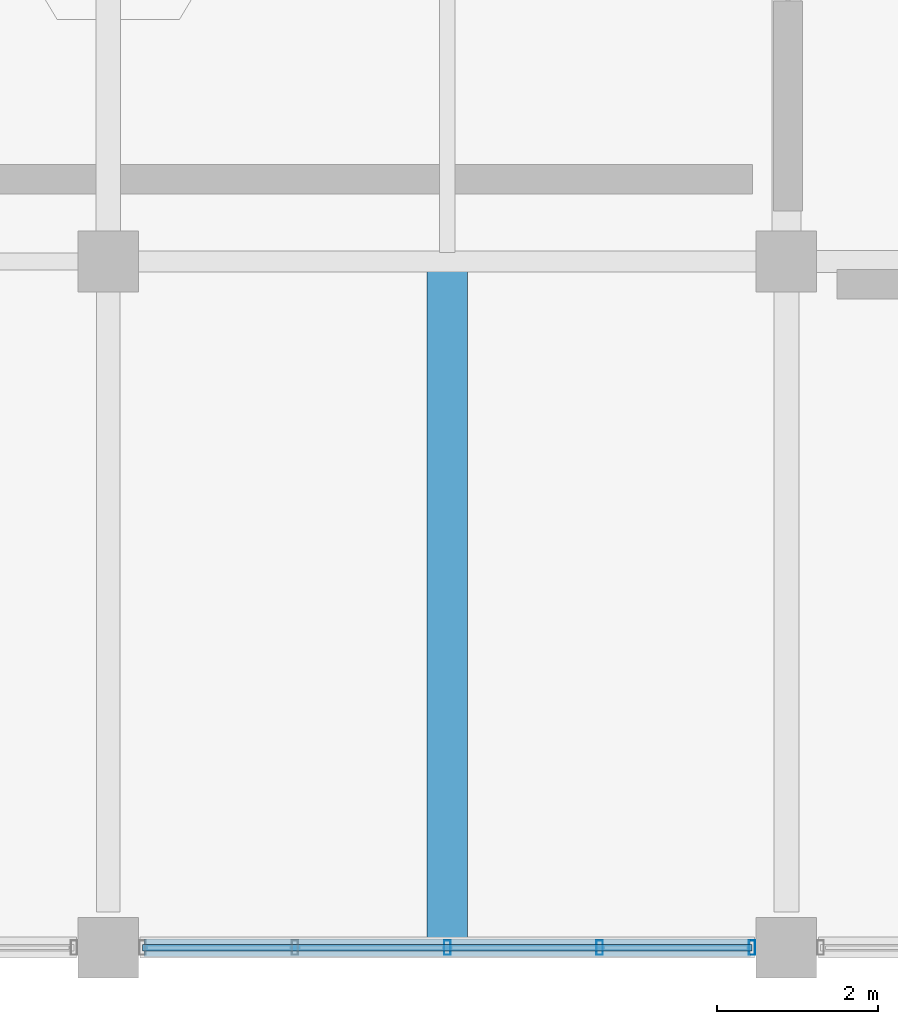
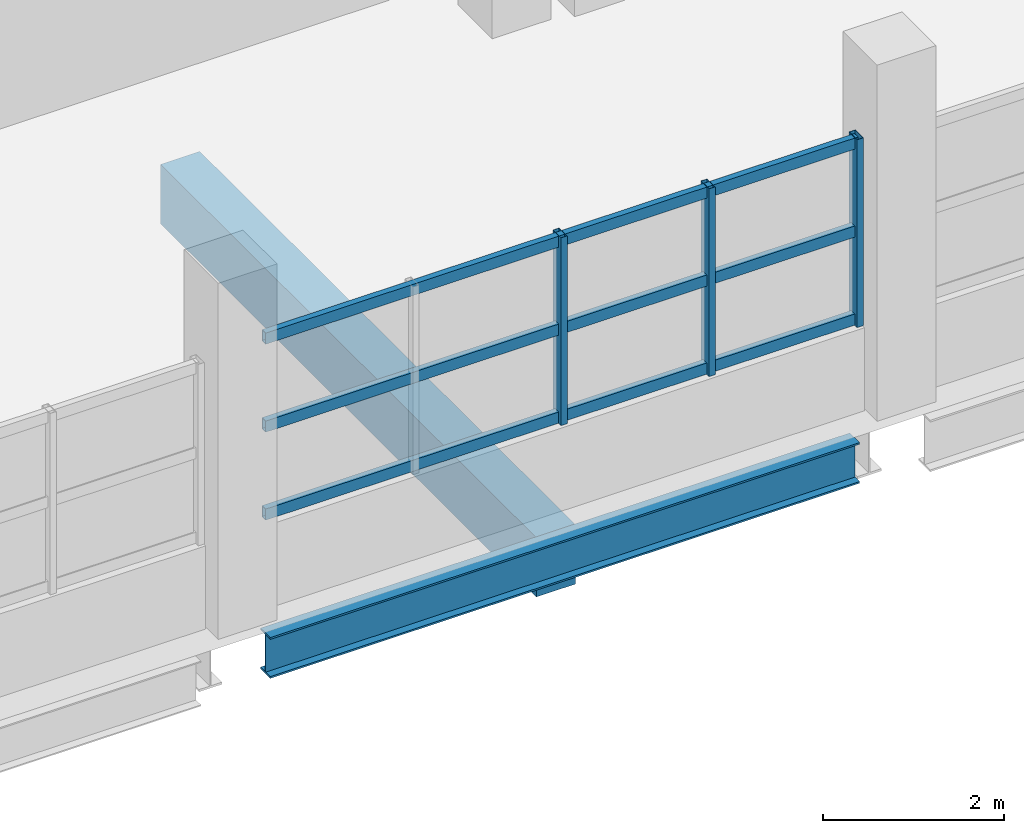
# One storey, part 56 of 117: 6 members, 2 beams, 1 element without a shape of its own.
"""IFC4 building model written with IfcOpenShell, lengths in metres."""

from ifc_helpers import new_model, si_unit, direction, frame, origin, origin_2d, place, context, subcontext, project, spatial, rectangle, hollow_rectangle, i_section, extrude, material, material_profile, profile_set, type_object, element, aggregate, save


model = new_model("IFC4")

# Units and contexts
model_context = context("Model", 3, precision=1e-05, world=origin(), true_north=direction((0.0, 1.0)))
body_context = subcontext(model_context, "Body", "Model", "MODEL_VIEW")
ifc_project = project(units=[si_unit("LENGTHUNIT", "METRE"), si_unit("AREAUNIT", "SQUARE_METRE"), si_unit("VOLUMEUNIT", "CUBIC_METRE"), si_unit("PLANEANGLEUNIT", "RADIAN"), si_unit("MASSUNIT", "GRAM", prefix="KILO")], contexts=[model_context])

# Site, building, storey
site_placement = place(None, origin())
site = spatial("IfcSite", under=ifc_project, at=site_placement, CompositionType="ELEMENT")
building_placement = place(site_placement, origin())
building = spatial("IfcBuilding", under=site, at=building_placement, Name="Solvento Point Concert Hall", CompositionType="ELEMENT")
storey_placement = place(building_placement, frame((0.0, 0.0, 5.39990234375)))
storey = spatial("IfcBuildingStorey", under=building, at=storey_placement, Name="L01", CompositionType="ELEMENT", Elevation=5.39990234375)

# Beams
ifc_material_1 = material(Name="Concrete C35/45", Category="concrete")
ifc_material_profile_1 = material_profile(ifc_material_1, rectangle(XDim=0.5, YDim=0.800048828125, at=origin_2d()), Name="RC-BM-500X800")
ifc_profile_set_1 = profile_set([ifc_material_profile_1], Name="Concrete C35/45")
beam_type_1 = type_object("IfcBeamType", Name="Beam_RC_500x800", PredefinedType="BEAM", material=ifc_profile_set_1)
beam_1_placement = place(storey_placement, frame((187.800048828125, 0.092041015625, -0.823974609375), z_axis=(0.0, 1.0, 0.0), x_axis=(-1.0, 0.0, 0.0)))
element("IfcBeam", 1, at=beam_1_placement, inside=storey, type_object=beam_type_1, Name="Secondary floor joist B-63 L01", PredefinedType="BEAM", context=body_context, shape_type="SweptSolid", body=[
    extrude(rectangle(XDim=0.5, YDim=0.800048828125, at=origin_2d()), origin(), (0.0, 0.0, 1.0), 8.294921875),
])
ifc_material_2 = material(Name="Structural Steel ASTM A992 Grade 50", Category="steel")
ifc_material_profile_2 = material_profile(ifc_material_2, i_section(OverallWidth=0.214111328125, OverallDepth=0.549072265625, WebThickness=0.0146484375, FlangeThickness=0.023681640625, at=origin_2d()), Name="W21X93")
ifc_profile_set_2 = profile_set([ifc_material_profile_2], Name="Structural Steel ASTM A992 Grade 50")
beam_type_2 = type_object("IfcBeamType", Name="Beam_W21X93", PredefinedType="BEAM", material=ifc_profile_set_2)
beam_2_placement = place(storey_placement, frame((184.0439453125, 0.0, -0.698486328125), z_axis=(1.0, 0.0, 0.0), x_axis=(0.0, 1.0, 0.0)))
element("IfcBeam", 2, at=beam_2_placement, inside=storey, type_object=beam_type_2, Name="Primary girder B-48 L01", PredefinedType="BEAM", context=body_context, shape_type="SweptSolid", body=[
    extrude(i_section(OverallWidth=0.214111328125, OverallDepth=0.549072265625, WebThickness=0.0146484375, FlangeThickness=0.023681640625, at=origin_2d()), origin(), (0.0, 0.0, 1.0), 7.511962890625),
])

# Curtain wall, members
ifc_material_3 = material(Name="Anodized Bronze Aluminium", Category="aluminium")
curtain_wall_type = type_object("IfcCurtainWallType", Name="CurtainWall_ChamberCircle", PredefinedType="USERDEFINED", material=ifc_material_3)
curtain_wall_placement = place(storey_placement, origin())
curtain_wall = element("IfcCurtainWall", 3, at=curtain_wall_placement, inside=storey, type_object=curtain_wall_type, Name="Unitised curtain wall CW-32 UCW-L01-090", ObjectType="UNITISED CURTAIN WALL", PredefinedType="USERDEFINED")
ifc_material_4 = material(Name="Anodized Bronze Aluminium", Category="aluminium")
ifc_material_profile_3 = material_profile(ifc_material_4, hollow_rectangle(XDim=0.080078125, YDim=0.179931640625, WallThickness=0.00390625, at=origin_2d()), Name="CW-MUL-80X180")
ifc_profile_set_3 = profile_set([ifc_material_profile_3], Name="Anodized Bronze Aluminium")
member_type_1 = type_object("IfcMemberType", Name="Mullion_80x180", PredefinedType="MULLION", material=ifc_profile_set_3)
member_1_placement = place(storey_placement, frame((187.800048828125, 0.0, 1.1201171875), z_axis=(0.0, 0.0, 1.0), x_axis=(1.0, 0.0, 0.0)))
member_1 = element("IfcMember", 4, at=member_1_placement, type_object=member_type_1, Name="Curtain wall mullion ML-01", PredefinedType="MULLION", context=body_context, shape_type="SweptSolid", body=[
    extrude(hollow_rectangle(XDim=0.080078125, YDim=0.179931640625, WallThickness=0.00390625, at=origin_2d()), origin(), (0.0, 0.0, 1.0), 2.531005859375),
])
member_2_placement = place(storey_placement, frame((189.6875, 0.0, 1.1201171875), z_axis=(0.0, 0.0, 1.0), x_axis=(1.0, 0.0, 0.0)))
member_2 = element("IfcMember", 5, at=member_2_placement, type_object=member_type_1, Name="Curtain wall mullion ML-01", PredefinedType="MULLION", context=body_context, shape_type="SweptSolid", body=[
    extrude(hollow_rectangle(XDim=0.080078125, YDim=0.179931640625, WallThickness=0.00390625, at=origin_2d()), origin(), (0.0, 0.0, 1.0), 2.531005859375),
])
member_3_placement = place(storey_placement, frame((191.574951171875, 0.0, 1.1201171875), z_axis=(0.0, 0.0, 1.0), x_axis=(1.0, 0.0, 0.0)))
member_3 = element("IfcMember", 6, at=member_3_placement, type_object=member_type_1, Name="Curtain wall mullion ML-01", PredefinedType="MULLION", context=body_context, shape_type="SweptSolid", body=[
    extrude(hollow_rectangle(XDim=0.080078125, YDim=0.179931640625, WallThickness=0.00390625, at=origin_2d()), origin(), (0.0, 0.0, 1.0), 2.531005859375),
])
ifc_material_5 = material(Name="Anodized Bronze Aluminium", Category="aluminium")
ifc_material_profile_4 = material_profile(ifc_material_5, hollow_rectangle(XDim=0.080078125, YDim=0.14990234375, WallThickness=0.00390625, at=origin_2d()), Name="CW-TRN-80X150")
ifc_profile_set_4 = profile_set([ifc_material_profile_4], Name="Anodized Bronze Aluminium")
member_type_2 = type_object("IfcMemberType", Name="Transom_80x150", PredefinedType="USERDEFINED", material=ifc_profile_set_4)
member_4_placement = place(storey_placement, frame((184.02490234375, 0.0, 1.2001953125), z_axis=(1.0, 0.0, 0.0), x_axis=(0.0, 1.0, 0.0)))
member_4 = element("IfcMember", 7, at=member_4_placement, type_object=member_type_2, Name="Curtain wall transom TR-01", ObjectType="TRANSOM", PredefinedType="USERDEFINED", context=body_context, shape_type="SweptSolid", body=[
    extrude(hollow_rectangle(XDim=0.080078125, YDim=0.14990234375, WallThickness=0.00390625, at=origin_2d()), origin(), (0.0, 0.0, 1.0), 7.550048828125),
])
member_5_placement = place(storey_placement, frame((184.02490234375, 0.0, 2.385498046875), z_axis=(1.0, 0.0, 0.0), x_axis=(0.0, 1.0, 0.0)))
member_5 = element("IfcMember", 8, at=member_5_placement, type_object=member_type_2, Name="Curtain wall transom TR-01", ObjectType="TRANSOM", PredefinedType="USERDEFINED", context=body_context, shape_type="SweptSolid", body=[
    extrude(hollow_rectangle(XDim=0.080078125, YDim=0.14990234375, WallThickness=0.00390625, at=origin_2d()), origin(), (0.0, 0.0, 1.0), 7.550048828125),
])
member_6_placement = place(storey_placement, frame((184.02490234375, 0.0, 3.571044921875), z_axis=(1.0, 0.0, 0.0), x_axis=(0.0, 1.0, 0.0)))
member_6 = element("IfcMember", 9, at=member_6_placement, type_object=member_type_2, Name="Curtain wall transom TR-01", ObjectType="TRANSOM", PredefinedType="USERDEFINED", context=body_context, shape_type="SweptSolid", body=[
    extrude(hollow_rectangle(XDim=0.080078125, YDim=0.14990234375, WallThickness=0.00390625, at=origin_2d()), origin(), (0.0, 0.0, 1.0), 7.550048828125),
])
aggregate(curtain_wall, [member_1, member_2, member_3, member_4, member_5, member_6])

save(model, "model.ifc")
